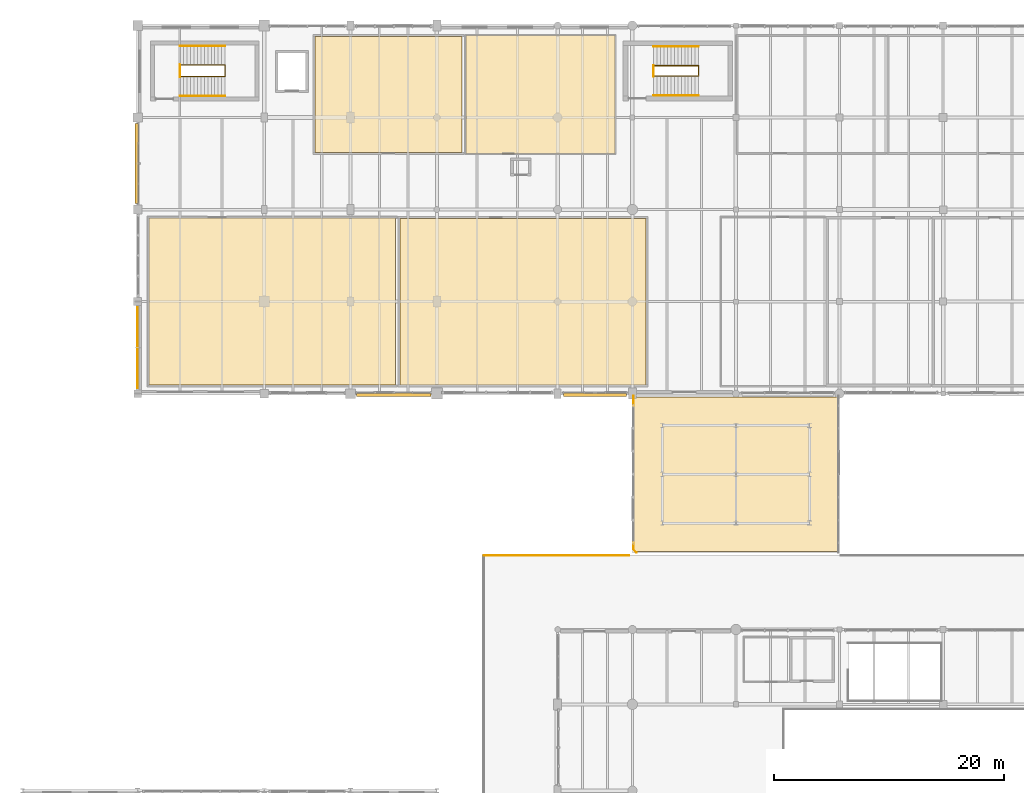
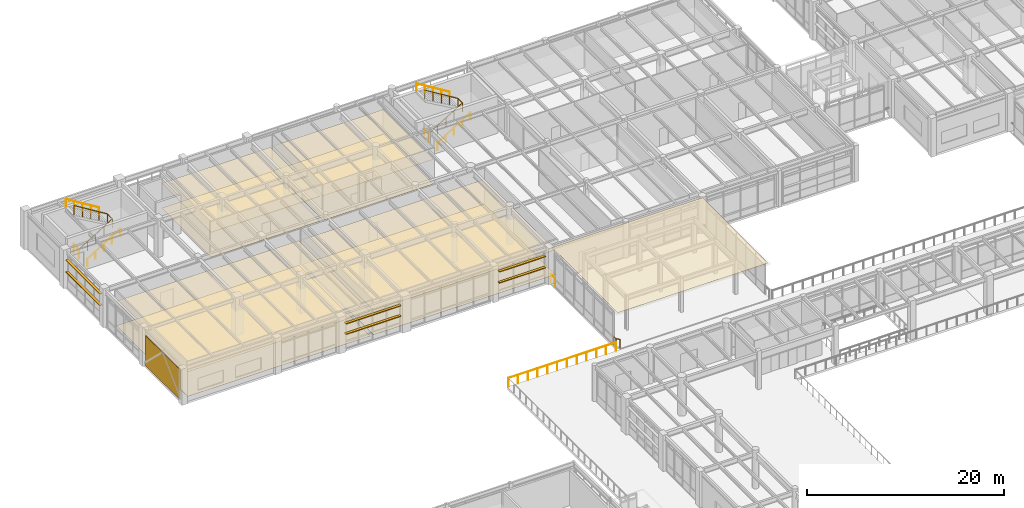
# One storey, part 195 of 200: 11 railings, 10 coverings, 6 shading devices.
"""IFC4 building model written with IfcOpenShell, lengths in metres."""

from ifc_helpers import new_model, si_unit, direction, frame, origin, origin_2d, place, context, subcontext, project, spatial, polyline, rectangle, circle, outline, extrude, material, layer, layer_set, type_object, element, save


model = new_model("IFC4")

# Units and contexts
model_context = context("Model", 3, precision=1e-05, world=origin(), true_north=direction((0.0, 1.0)))
body_context = subcontext(model_context, "Body", "Model", "MODEL_VIEW")
ifc_project = project(units=[si_unit("LENGTHUNIT", "METRE"), si_unit("AREAUNIT", "SQUARE_METRE"), si_unit("VOLUMEUNIT", "CUBIC_METRE"), si_unit("PLANEANGLEUNIT", "RADIAN"), si_unit("MASSUNIT", "GRAM", prefix="KILO"), si_unit("THERMODYNAMICTEMPERATUREUNIT", "KELVIN"), si_unit("POWERUNIT", "WATT")], contexts=[model_context])

# Site, building, storey
site_placement = place(None, origin())
site = spatial("IfcSite", under=ifc_project, at=site_placement, CompositionType="ELEMENT")
building_placement = place(site_placement, origin())
building = spatial("IfcBuilding", under=site, at=building_placement, Name="Tepalcoro Natatorium and Aquatics Centre", CompositionType="ELEMENT")
storey_placement = place(building_placement, frame((0.0, 0.0, 5.39990234375)))
storey = spatial("IfcBuildingStorey", under=building, at=storey_placement, Name="L01", CompositionType="ELEMENT", Elevation=5.39990234375)

# Coverings
ifc_material_1 = material(Name="Jalisco Cantera Rosa Volcanic Tuff Ashlar Masonry", Category="masonry")
ifc_layer_1 = layer(ifc_material_1, 0.06005859375)
ifc_layer_set_1 = layer_set([ifc_layer_1], Name="Jalisco Cantera Rosa Volcanic Tuff Ashlar Masonry")
covering_type_1 = type_object("IfcCoveringType", Name="CD_CANTERA_60", PredefinedType="CLADDING", material=ifc_layer_set_1)
covering_1_placement = place(storey_placement, frame((9.97509765625, 89.987548828125, 0.10009765625), z_axis=(0.0, 0.0, 1.0), x_axis=(1.0, 0.0, 0.0)))
element("IfcCovering", 1, at=covering_1_placement, inside=storey, type_object=covering_type_1, Name="Volcanic Stone Facade Cladding CD_CANTERA_60", PredefinedType="CLADDING", context=body_context, shape_type="SweptSolid", body=[
    extrude(rectangle(XDim=0.06005859375, YDim=7.01708984375, at=origin_2d()), origin(), (0.0, 0.0, 1.0), 3.73388671875),
])
ifc_material_2 = material(Name="Perforated Corrosion-Resistant Acoustic Aluminium Baffle Ceiling", Category="aluminium")
ifc_layer_2 = layer(ifc_material_2, 0.044921875)
ifc_layer_set_2 = layer_set([ifc_layer_2], Name="Perforated Corrosion-Resistant Acoustic Aluminium Baffle Ceiling")
covering_type_2 = type_object("IfcCoveringType", Name="CL_BAFFLE_120", PredefinedType="CEILING", material=ifc_layer_set_2)
covering_2_placement = place(storey_placement, frame((0.0, 0.0, 3.050048828125)))
element("IfcCovering", 2, at=covering_2_placement, inside=storey, type_object=covering_type_2, Name="Sports Physiotherapy & Manual Therapy Clinic Suspended Ceiling", PredefinedType="CEILING", context=body_context, shape_type="SweptSolid", body=[
    extrude(outline(polyline([(25.409912109375, 106.969970703125), (25.409912109375, 117.030029296875), (38.18994140625, 117.030029296875), (38.18994140625, 106.969970703125), (25.409912109375, 106.969970703125)])), origin(), (0.0, 0.0, 1.0), 0.045166015625),
])
ifc_material_3 = material(Name="Moisture-Resistant Acoustic Gypsum Drywall on Cold-Formed Metal Studs")
ifc_layer_3 = layer(ifc_material_3, 0.030029296875)
ifc_layer_set_3 = layer_set([ifc_layer_3], Name="Moisture-Resistant Acoustic Gypsum Drywall on Cold-Formed Metal Studs")
covering_type_3 = type_object("IfcCoveringType", Name="CL_GYPSUM_30", PredefinedType="CEILING", material=ifc_layer_set_3)
covering_3_placement = place(storey_placement, frame((0.0, 0.0, 3.050048828125)))
element("IfcCovering", 3, at=covering_3_placement, inside=storey, type_object=covering_type_3, Name="Olympic Strength & Conditioning Free-Weight Hall Suspended Ceiling", PredefinedType="CEILING", context=body_context, shape_type="SweptSolid", body=[
    extrude(outline(polyline([(10.97998046875, 86.739990234375), (10.97998046875, 101.260009765625), (32.419921875, 101.260009765625), (32.419921875, 86.739990234375), (10.97998046875, 86.739990234375)])), origin(), (0.0, 0.0, 1.0), 0.030029296875),
])
covering_4_placement = place(storey_placement, frame((0.0, 0.0, 3.050048828125)))
element("IfcCovering", 4, at=covering_4_placement, inside=storey, type_object=covering_type_3, Name="Athlete Nutrition Bar & Recovery Lounge Suspended Ceiling", PredefinedType="CEILING", context=body_context, shape_type="SweptSolid", body=[
    extrude(outline(polyline([(38.530029296875, 106.889892578125), (38.530029296875, 117.110107421875), (51.469970703125, 117.110107421875), (51.469970703125, 106.889892578125), (38.530029296875, 106.889892578125)])), origin(), (0.0, 0.0, 1.0), 0.030029296875),
])
ifc_layer_4 = layer(ifc_material_2, 0.0400390625)
ifc_layer_set_4 = layer_set([ifc_layer_4], Name="Perforated Corrosion-Resistant Acoustic Aluminium Baffle Ceiling")
covering_type_4 = type_object("IfcCoveringType", Name="CL_PERF_AL_40", PredefinedType="CEILING", material=ifc_layer_set_4)
covering_5_placement = place(storey_placement, frame((0.0, 0.0, 3.050048828125)))
element("IfcCovering", 5, at=covering_5_placement, inside=storey, type_object=covering_type_4, Name="Rowing & Swim-Bench Ergometer Cardio Studio Suspended Ceiling", PredefinedType="CEILING", context=body_context, shape_type="SweptSolid", body=[
    extrude(outline(polyline([(32.81005859375, 86.77001953125), (32.81005859375, 101.22998046875), (54.18994140625, 101.22998046875), (54.18994140625, 86.77001953125), (32.81005859375, 86.77001953125)])), origin(), (0.0, 0.0, 1.0), 0.0400390625),
])
ifc_material_4 = material(Name="Shock-Absorbing Vulcanised Athletic Rubber Flooring")
ifc_layer_5 = layer(ifc_material_4, 0.010009765625)
ifc_layer_set_5 = layer_set([ifc_layer_5], Name="Shock-Absorbing Vulcanised Athletic Rubber Flooring")
covering_type_5 = type_object("IfcCoveringType", Name="FL_CARPET_10", PredefinedType="FLOORING", material=ifc_layer_set_5)
covering_6_placement = place(storey_placement, origin())
element("IfcCovering", 6, at=covering_6_placement, inside=storey, type_object=covering_type_5, Name="Sports Physiotherapy & Manual Therapy Clinic Floor Finish", PredefinedType="FLOORING", context=body_context, shape_type="SweptSolid", body=[
    extrude(outline(polyline([(25.409912109375, 106.969970703125), (25.409912109375, 117.030029296875), (38.18994140625, 117.030029296875), (38.18994140625, 106.969970703125), (25.409912109375, 106.969970703125)])), origin(), (0.0, 0.0, 1.0), 0.010009765625),
])
ifc_material_5 = material(Name="Slip-Resistant Porcelain Aquatic Deck Tile")
ifc_layer_6 = layer(ifc_material_5, 0.02197265625)
ifc_layer_set_6 = layer_set([ifc_layer_6], Name="Slip-Resistant Porcelain Aquatic Deck Tile")
covering_type_6 = type_object("IfcCoveringType", Name="FL_DECK_TILE_22", PredefinedType="FLOORING", material=ifc_layer_set_6)
covering_7_placement = place(storey_placement, origin())
element("IfcCovering", 7, at=covering_7_placement, inside=storey, type_object=covering_type_6, Name="Rowing & Swim-Bench Ergometer Cardio Studio Floor Finish", PredefinedType="FLOORING", context=body_context, shape_type="SweptSolid", body=[
    extrude(outline(polyline([(32.81005859375, 86.77001953125), (32.81005859375, 101.22998046875), (54.18994140625, 101.22998046875), (54.18994140625, 86.77001953125), (32.81005859375, 86.77001953125)])), origin(), (0.0, 0.0, 1.0), 0.022216796875),
])
ifc_layer_7 = layer(ifc_material_4, 0.011962890625)
ifc_layer_set_7 = layer_set([ifc_layer_7], Name="Shock-Absorbing Vulcanised Athletic Rubber Flooring")
covering_type_7 = type_object("IfcCoveringType", Name="FL_RUBBER_12", PredefinedType="FLOORING", material=ifc_layer_set_7)
covering_8_placement = place(storey_placement, origin())
element("IfcCovering", 8, at=covering_8_placement, inside=storey, type_object=covering_type_7, Name="Athlete Nutrition Bar & Recovery Lounge Floor Finish", PredefinedType="FLOORING", context=body_context, shape_type="SweptSolid", body=[
    extrude(outline(polyline([(38.530029296875, 106.889892578125), (38.530029296875, 117.110107421875), (51.469970703125, 117.110107421875), (51.469970703125, 106.889892578125), (38.530029296875, 106.889892578125)])), origin(), (0.0, 0.0, 1.0), 0.01220703125),
])
ifc_layer_8 = layer(ifc_material_5, 0.01806640625)
ifc_layer_set_8 = layer_set([ifc_layer_8], Name="Slip-Resistant Porcelain Aquatic Deck Tile")
covering_type_8 = type_object("IfcCoveringType", Name="FL_TILE_18", PredefinedType="FLOORING", material=ifc_layer_set_8)
covering_9_placement = place(storey_placement, origin())
element("IfcCovering", 9, at=covering_9_placement, inside=storey, type_object=covering_type_8, Name="Olympic Strength & Conditioning Free-Weight Hall Floor Finish", PredefinedType="FLOORING", context=body_context, shape_type="SweptSolid", body=[
    extrude(outline(polyline([(10.97998046875, 86.739990234375), (10.97998046875, 101.260009765625), (32.419921875, 101.260009765625), (32.419921875, 86.739990234375), (10.97998046875, 86.739990234375)])), origin(), (0.0, 0.0, 1.0), 0.01806640625),
])
ifc_material_6 = material(Name="Insulated Thermoplastic Polyolefin Standing-Seam Roof Assembly")
ifc_layer_9 = layer(ifc_material_6, 0.0029296875)
ifc_layer_set_9 = layer_set([ifc_layer_9], Name="Insulated Thermoplastic Polyolefin Standing-Seam Roof Assembly")
covering_type_9 = type_object("IfcCoveringType", Name="MEM_TPO_3", PredefinedType="MEMBRANE", material=ifc_layer_set_9)
covering_10_placement = place(storey_placement, frame((0.0, 0.0, 4.400146484375)))
element("IfcCovering", 10, at=covering_10_placement, inside=storey, type_object=covering_type_9, Name="West Court Swimmers Arcade Roof Waterproofing Membrane", PredefinedType="MEMBRANE", context=body_context, shape_type="SweptSolid", body=[
    extrude(outline(polyline([(53.14990234375, 72.300048828125), (70.85009765625, 72.300048828125), (70.85009765625, 85.699951171875), (53.14990234375, 85.699951171875), (53.14990234375, 72.300048828125)])), origin(), (0.0, 0.0, 1.0), 0.0029296875),
])

# Railings
ifc_material_7 = material(Name="Marine-Grade Brushed Stainless Steel AISI 316L", Category="steel")
railing_type_1 = type_object("IfcRailingType", Name="RL_GLASS_1100", PredefinedType="GUARDRAIL", material=ifc_material_7)
railing_1_placement = place(storey_placement, frame((53.35009765625, 72.2099609375, 0.0)))
element("IfcRailing", 11, at=railing_1_placement, inside=storey, type_object=railing_type_1, Name="West Court Swimmers Arcade L01 Seismic Joint Edge Guard WS", PredefinedType="GUARDRAIL", context=body_context, shape_type="SweptSolid", body=[
    extrude(circle(Radius=0.02392578125, at=origin_2d()), frame((0.0, 0.0, 1.09619140625), z_axis=(-0.668931315457, 0.743324219436, 0.0), x_axis=(-0.743324219436, -0.668931315457, 0.0)), (0.0, 0.0, 1.0), 0.403564453125),
    extrude(circle(Radius=0.02392578125, at=origin_2d()), frame((-0.27001953125, 0.300048828125, 1.09619140625), z_axis=(0.0, 1.0, 0.0), x_axis=(-1.0, 0.0, 0.0)), (0.0, 0.0, 1.0), 0.5400390625),
    extrude(circle(Radius=0.02099609375, at=origin_2d()), origin(), (0.0, 0.0, 1.0), 1.072021484375),
    extrude(circle(Radius=0.02099609375, at=origin_2d()), frame((-0.27001953125, 0.300048828125, 0.0)), (0.0, 0.0, 1.0), 1.072021484375),
    extrude(circle(Radius=0.02099609375, at=origin_2d()), frame((-0.27001953125, 0.840087890625, 0.0)), (0.0, 0.0, 1.0), 1.072021484375),
])
railing_2_placement = place(storey_placement, frame((53.080078125, 84.949951171875, 0.0)))
element("IfcRailing", 12, at=railing_2_placement, inside=storey, type_object=railing_type_1, Name="West Court Swimmers Arcade L01 Seismic Joint Edge Guard WN", PredefinedType="GUARDRAIL", context=body_context, shape_type="SweptSolid", body=[
    extrude(circle(Radius=0.02392578125, at=origin_2d()), frame((0.0, 0.0, 1.09619140625), z_axis=(0.0, 1.0, 0.0), x_axis=(-1.0, 0.0, 0.0)), (0.0, 0.0, 1.0), 0.860107421875),
    extrude(circle(Radius=0.02099609375, at=origin_2d()), origin(), (0.0, 0.0, 1.0), 1.072021484375),
    extrude(circle(Radius=0.02099609375, at=origin_2d()), frame((0.0, 0.860107421875, 0.0)), (0.0, 0.0, 1.0), 1.072021484375),
])
ifc_material_8 = material(Name="Bronze-Anodised Extruded Aluminium Alloy EN AW-6063 T6", Category="aluminium")
railing_type_2 = type_object("IfcRailingType", Name="RL_HAND_900_BRZ", PredefinedType="HANDRAIL", material=ifc_material_8)
railing_3_placement = place(storey_placement, frame((54.85009765625, 111.929931640625, 0.0)))
element("IfcRailing", 13, at=railing_3_placement, inside=storey, type_object=railing_type_2, Name="ST08-L01 Wall Handrail F1", PredefinedType="HANDRAIL", context=body_context, shape_type="SweptSolid", body=[
    extrude(circle(Radius=0.02392578125, at=origin_2d()), frame((0.0, 0.0, 0.8759765625), z_axis=(0.851638180308, 0.0, 0.5241301459), x_axis=(0.0, 1.0, 0.0)), (0.0, 0.0, 1.0), 4.579345703125),
    extrude(circle(Radius=0.02099609375, at=origin_2d()), origin(), (0.0, 0.0, 1.0), 0.851806640625),
    extrude(circle(Radius=0.02099609375, at=origin_2d()), frame((0.97509765625, 0.0, 0.60009765625)), (0.0, 0.0, 1.0), 0.851806640625),
    extrude(circle(Radius=0.02099609375, at=origin_2d()), frame((1.949951171875, 0.0, 1.2001953125)), (0.0, 0.0, 1.0), 0.851806640625),
    extrude(circle(Radius=0.02099609375, at=origin_2d()), frame((2.9248046875, 0.0, 1.800048828125)), (0.0, 0.0, 1.0), 0.851806640625),
    extrude(circle(Radius=0.02099609375, at=origin_2d()), frame((3.89990234375, 0.0, 2.400146484375)), (0.0, 0.0, 1.0), 0.851806640625),
])
railing_4_placement = place(storey_placement, frame((58.75, 116.169921875, 2.400146484375)))
element("IfcRailing", 14, at=railing_4_placement, inside=storey, type_object=railing_type_2, Name="ST08-L01 Wall Handrail F2", PredefinedType="HANDRAIL", context=body_context, shape_type="SweptSolid", body=[
    extrude(circle(Radius=0.02392578125, at=origin_2d()), frame((0.0, 0.0, 0.8759765625), z_axis=(-0.851661977835, 0.0, 0.524091476281), x_axis=(0.0, -1.0, 0.0)), (0.0, 0.0, 1.0), 4.5791015625),
    extrude(circle(Radius=0.02099609375, at=origin_2d()), origin(), (0.0, 0.0, 1.0), 0.851806640625),
    extrude(circle(Radius=0.02099609375, at=origin_2d()), frame((-0.97509765625, 0.0, 0.60009765625)), (0.0, 0.0, 1.0), 0.851806640625),
    extrude(circle(Radius=0.02099609375, at=origin_2d()), frame((-1.949951171875, 0.0, 1.199951171875)), (0.0, 0.0, 1.0), 0.851806640625),
    extrude(circle(Radius=0.02099609375, at=origin_2d()), frame((-2.9248046875, 0.0, 1.7998046875)), (0.0, 0.0, 1.0), 0.851806640625),
    extrude(circle(Radius=0.02099609375, at=origin_2d()), frame((-3.89990234375, 0.0, 2.39990234375)), (0.0, 0.0, 1.0), 0.851806640625),
])
railing_type_3 = type_object("IfcRailingType", Name="RL_HAND_920_SS", PredefinedType="HANDRAIL", material=ifc_material_7)
railing_5_placement = place(storey_placement, frame((13.699951171875, 111.8798828125, 0.0)))
element("IfcRailing", 15, at=railing_5_placement, inside=storey, type_object=railing_type_3, Name="ST07-L01 Wall Handrail F1", PredefinedType="HANDRAIL", context=body_context, shape_type="SweptSolid", body=[
    extrude(circle(Radius=0.02392578125, at=origin_2d()), frame((0.0, 0.0, 0.89599609375), z_axis=(0.851652825334, 0.0, 0.524106349037), x_axis=(0.0, 1.0, 0.0)), (0.0, 0.0, 1.0), 4.57958984375),
    extrude(circle(Radius=0.02099609375, at=origin_2d()), origin(), (0.0, 0.0, 1.0), 0.871826171875),
    extrude(circle(Radius=0.02099609375, at=origin_2d()), frame((0.97509765625, 0.0, 0.60009765625)), (0.0, 0.0, 1.0), 0.871826171875),
    extrude(circle(Radius=0.02099609375, at=origin_2d()), frame((1.9501953125, 0.0, 1.2001953125)), (0.0, 0.0, 1.0), 0.871826171875),
    extrude(circle(Radius=0.02099609375, at=origin_2d()), frame((2.925048828125, 0.0, 1.800048828125)), (0.0, 0.0, 1.0), 0.871826171875),
    extrude(circle(Radius=0.02099609375, at=origin_2d()), frame((3.900146484375, 0.0, 2.400146484375)), (0.0, 0.0, 1.0), 0.871826171875),
])
railing_6_placement = place(storey_placement, frame((17.60009765625, 116.219970703125, 2.400146484375)))
element("IfcRailing", 16, at=railing_6_placement, inside=storey, type_object=railing_type_3, Name="ST07-L01 Wall Handrail F2", PredefinedType="HANDRAIL", context=body_context, shape_type="SweptSolid", body=[
    extrude(circle(Radius=0.02392578125, at=origin_2d()), frame((0.0, 0.0, 0.89599609375), z_axis=(-0.851676621109, 0.0, 0.524067679844), x_axis=(0.0, -1.0, 0.0)), (0.0, 0.0, 1.0), 4.579345703125),
    extrude(circle(Radius=0.02099609375, at=origin_2d()), origin(), (0.0, 0.0, 1.0), 0.871826171875),
    extrude(circle(Radius=0.02099609375, at=origin_2d()), frame((-0.97509765625, 0.0, 0.60009765625)), (0.0, 0.0, 1.0), 0.871826171875),
    extrude(circle(Radius=0.02099609375, at=origin_2d()), frame((-1.9501953125, 0.0, 1.199951171875)), (0.0, 0.0, 1.0), 0.871826171875),
    extrude(circle(Radius=0.02099609375, at=origin_2d()), frame((-2.925048828125, 0.0, 1.7998046875)), (0.0, 0.0, 1.0), 0.871826171875),
    extrude(circle(Radius=0.02099609375, at=origin_2d()), frame((-3.900146484375, 0.0, 2.39990234375)), (0.0, 0.0, 1.0), 0.871826171875),
])
railing_type_4 = type_object("IfcRailingType", Name="RL_PERF_1100", PredefinedType="GUARDRAIL", material=ifc_material_7)
railing_7_placement = place(storey_placement, frame((13.699951171875, 113.550048828125, 0.0)))
element("IfcRailing", 17, at=railing_7_placement, inside=storey, type_object=railing_type_4, Name="ST07-L01 Inner Stairwell Guardrail", PredefinedType="GUARDRAIL", context=body_context, shape_type="SweptSolid", body=[
    extrude(circle(Radius=0.02392578125, at=origin_2d()), frame((0.0, 0.0, 1.11572265625), z_axis=(0.851652825334, 0.0, 0.524106349037), x_axis=(0.0, 1.0, 0.0)), (0.0, 0.0, 1.0), 4.57958984375),
    extrude(circle(Radius=0.02392578125, at=origin_2d()), frame((3.900146484375, 0.0, 3.51611328125), z_axis=(0.0, 1.0, 0.0), x_axis=(-1.0, 0.0, 0.0)), (0.0, 0.0, 1.0), 1.0),
    extrude(circle(Radius=0.02392578125, at=origin_2d()), frame((3.900146484375, 1.0, 3.51611328125), z_axis=(-0.851676621109, 0.0, 0.524067679844), x_axis=(0.0, -1.0, 0.0)), (0.0, 0.0, 1.0), 4.579345703125),
    extrude(circle(Radius=0.02099609375, at=origin_2d()), origin(), (0.0, 0.0, 1.0), 1.091796875),
    extrude(circle(Radius=0.02099609375, at=origin_2d()), frame((0.97509765625, 0.0, 0.60009765625)), (0.0, 0.0, 1.0), 1.091796875),
    extrude(circle(Radius=0.02099609375, at=origin_2d()), frame((1.9501953125, 0.0, 1.2001953125)), (0.0, 0.0, 1.0), 1.091796875),
    extrude(circle(Radius=0.02099609375, at=origin_2d()), frame((2.925048828125, 0.0, 1.800048828125)), (0.0, 0.0, 1.0), 1.091796875),
    extrude(circle(Radius=0.02099609375, at=origin_2d()), frame((3.900146484375, 0.0, 2.400146484375)), (0.0, 0.0, 1.0), 1.091796875),
    extrude(circle(Radius=0.02099609375, at=origin_2d()), frame((3.900146484375, 1.0, 2.400146484375)), (0.0, 0.0, 1.0), 1.091796875),
    extrude(circle(Radius=0.02099609375, at=origin_2d()), frame((2.925048828125, 1.0, 3.0)), (0.0, 0.0, 1.0), 1.091796875),
    extrude(circle(Radius=0.02099609375, at=origin_2d()), frame((1.9501953125, 1.0, 3.60009765625)), (0.0, 0.0, 1.0), 1.091796875),
    extrude(circle(Radius=0.02099609375, at=origin_2d()), frame((0.97509765625, 1.0, 4.2001953125)), (0.0, 0.0, 1.0), 1.091796875),
    extrude(circle(Radius=0.02099609375, at=origin_2d()), frame((0.0, 1.0, 4.800048828125)), (0.0, 0.0, 1.0), 1.091796875),
])
railing_8_placement = place(storey_placement, frame((13.669921875, 113.510009765625, 0.0)))
element("IfcRailing", 18, at=railing_8_placement, inside=storey, type_object=railing_type_4, Name="ST07-L01 Landing Well Slot Guard", PredefinedType="GUARDRAIL", context=body_context, shape_type="SweptSolid", body=[
    extrude(circle(Radius=0.02392578125, at=origin_2d()), frame((0.0, 0.0, 1.11572265625), z_axis=(0.0, 1.0, 0.0), x_axis=(-1.0, 0.0, 0.0)), (0.0, 0.0, 1.0), 1.080078125),
    extrude(circle(Radius=0.02099609375, at=origin_2d()), origin(), (0.0, 0.0, 1.0), 1.091796875),
    extrude(circle(Radius=0.02099609375, at=origin_2d()), frame((0.0, 1.080078125, 0.0)), (0.0, 0.0, 1.0), 1.091796875),
])
railing_9_placement = place(storey_placement, frame((52.719970703125, 71.919921875, 0.0)))
element("IfcRailing", 19, at=railing_9_placement, inside=storey, type_object=railing_type_4, Name="V1 L01 Planted Terrace Perimeter Guardrail (N-3)", PredefinedType="GUARDRAIL", context=body_context, shape_type="SweptSolid", body=[
    extrude(circle(Radius=0.02392578125, at=origin_2d()), frame((0.0, 0.0, 1.11572265625), z_axis=(-1.0, 0.0, 0.0), x_axis=(0.0, -1.0, 0.0)), (0.0, 0.0, 1.0), 12.639892578125),
    extrude(circle(Radius=0.02099609375, at=origin_2d()), origin(), (0.0, 0.0, 1.0), 1.091796875),
    extrude(circle(Radius=0.02099609375, at=origin_2d()), frame((-1.149169921875, 0.0, 0.0)), (0.0, 0.0, 1.0), 1.091796875),
    extrude(circle(Radius=0.02099609375, at=origin_2d()), frame((-2.298095703125, 0.0, 0.0)), (0.0, 0.0, 1.0), 1.091796875),
    extrude(circle(Radius=0.02099609375, at=origin_2d()), frame((-3.447265625, 0.0, 0.0)), (0.0, 0.0, 1.0), 1.091796875),
    extrude(circle(Radius=0.02099609375, at=origin_2d()), frame((-4.596435546875, 0.0, 0.0)), (0.0, 0.0, 1.0), 1.091796875),
    extrude(circle(Radius=0.02099609375, at=origin_2d()), frame((-5.745361328125, 0.0, 0.0)), (0.0, 0.0, 1.0), 1.091796875),
    extrude(circle(Radius=0.02099609375, at=origin_2d()), frame((-6.89453125, 0.0, 0.0)), (0.0, 0.0, 1.0), 1.091796875),
    extrude(circle(Radius=0.02099609375, at=origin_2d()), frame((-8.04345703125, 0.0, 0.0)), (0.0, 0.0, 1.0), 1.091796875),
    extrude(circle(Radius=0.02099609375, at=origin_2d()), frame((-9.192626953125, 0.0, 0.0)), (0.0, 0.0, 1.0), 1.091796875),
    extrude(circle(Radius=0.02099609375, at=origin_2d()), frame((-10.341796875, 0.0, 0.0)), (0.0, 0.0, 1.0), 1.091796875),
    extrude(circle(Radius=0.02099609375, at=origin_2d()), frame((-11.49072265625, 0.0, 0.0)), (0.0, 0.0, 1.0), 1.091796875),
    extrude(circle(Radius=0.02099609375, at=origin_2d()), frame((-12.639892578125, 0.0, 0.0)), (0.0, 0.0, 1.0), 1.091796875),
])
railing_type_5 = type_object("IfcRailingType", Name="RL_SS_1100", PredefinedType="GUARDRAIL", material=ifc_material_7)
railing_10_placement = place(storey_placement, frame((54.85009765625, 113.60009765625, 0.0)))
element("IfcRailing", 20, at=railing_10_placement, inside=storey, type_object=railing_type_5, Name="ST08-L01 Inner Stairwell Guardrail", PredefinedType="GUARDRAIL", context=body_context, shape_type="SweptSolid", body=[
    extrude(circle(Radius=0.02392578125, at=origin_2d()), frame((0.0, 0.0, 1.076171875), z_axis=(0.851638180308, 0.0, 0.5241301459), x_axis=(0.0, 1.0, 0.0)), (0.0, 0.0, 1.0), 4.579345703125),
    extrude(circle(Radius=0.02392578125, at=origin_2d()), frame((3.89990234375, 0.0, 3.47607421875), z_axis=(0.0, 1.0, 0.0), x_axis=(-1.0, 0.0, 0.0)), (0.0, 0.0, 1.0), 0.89990234375),
    extrude(circle(Radius=0.02392578125, at=origin_2d()), frame((3.89990234375, 0.89990234375, 3.47607421875), z_axis=(-0.851661977835, 0.0, 0.524091476281), x_axis=(0.0, -1.0, 0.0)), (0.0, 0.0, 1.0), 4.5791015625),
    extrude(circle(Radius=0.02099609375, at=origin_2d()), origin(), (0.0, 0.0, 1.0), 1.052001953125),
    extrude(circle(Radius=0.02099609375, at=origin_2d()), frame((0.97509765625, 0.0, 0.60009765625)), (0.0, 0.0, 1.0), 1.052001953125),
    extrude(circle(Radius=0.02099609375, at=origin_2d()), frame((1.949951171875, 0.0, 1.2001953125)), (0.0, 0.0, 1.0), 1.052001953125),
    extrude(circle(Radius=0.02099609375, at=origin_2d()), frame((2.9248046875, 0.0, 1.800048828125)), (0.0, 0.0, 1.0), 1.052001953125),
    extrude(circle(Radius=0.02099609375, at=origin_2d()), frame((3.89990234375, 0.0, 2.400146484375)), (0.0, 0.0, 1.0), 1.052001953125),
    extrude(circle(Radius=0.02099609375, at=origin_2d()), frame((3.89990234375, 0.89990234375, 2.400146484375)), (0.0, 0.0, 1.0), 1.052001953125),
    extrude(circle(Radius=0.02099609375, at=origin_2d()), frame((2.9248046875, 0.89990234375, 3.0)), (0.0, 0.0, 1.0), 1.052001953125),
    extrude(circle(Radius=0.02099609375, at=origin_2d()), frame((1.949951171875, 0.89990234375, 3.60009765625)), (0.0, 0.0, 1.0), 1.052001953125),
    extrude(circle(Radius=0.02099609375, at=origin_2d()), frame((0.97509765625, 0.89990234375, 4.2001953125)), (0.0, 0.0, 1.0), 1.052001953125),
    extrude(circle(Radius=0.02099609375, at=origin_2d()), frame((0.0, 0.89990234375, 4.800048828125)), (0.0, 0.0, 1.0), 1.052001953125),
])
railing_11_placement = place(storey_placement, frame((54.820068359375, 113.56005859375, 0.0)))
element("IfcRailing", 21, at=railing_11_placement, inside=storey, type_object=railing_type_5, Name="ST08-L01 Landing Well Slot Guard", PredefinedType="GUARDRAIL", context=body_context, shape_type="SweptSolid", body=[
    extrude(circle(Radius=0.02392578125, at=origin_2d()), frame((0.0, 0.0, 1.076171875), z_axis=(0.0, 1.0, 0.0), x_axis=(-1.0, 0.0, 0.0)), (0.0, 0.0, 1.0), 0.97998046875),
    extrude(circle(Radius=0.02099609375, at=origin_2d()), origin(), (0.0, 0.0, 1.0), 1.052001953125),
    extrude(circle(Radius=0.02099609375, at=origin_2d()), frame((0.0, 0.97998046875, 0.0)), (0.0, 0.0, 1.0), 1.052001953125),
])

# Shading devices
shading_device_type = type_object("IfcShadingDeviceType", Name="SHD_FIN_BRONZE", PredefinedType="SHUTTER", material=ifc_material_8)
for number, where, z_axis, x_axis, name in (
    (22, (32.25, 85.90625, 1.97119140625), (0.0, 0.0, 1.0), (1.0, 0.0, 0.0), "Solar Shading Brise-Soleil SHD_FIN_BRONZE"),
    (23, (32.25, 85.90625, 3.26806640625), (0.0, 0.0, 1.0), (1.0, 0.0, 0.0), "Solar Shading Brise-Soleil SHD_FIN_BRONZE"),
):
    element("IfcShadingDevice", number, at=place(storey_placement, frame(where, z_axis=z_axis, x_axis=x_axis)), inside=storey, type_object=shading_device_type, Name=name, PredefinedType="SHUTTER", context=body_context, shape_type="SweptSolid", body=[
        extrude(rectangle(XDim=6.4599609375, YDim=0.300048828125, at=origin_2d()), origin(), (0.0, 0.0, 1.0), 0.080078125),
    ])
for number, where, z_axis, x_axis, name in (
    (24, (49.75, 85.90625, 2.03955078125), (0.0, 0.0, 1.0), (1.0, 0.0, 0.0), "Solar Shading Brise-Soleil SHD_FIN_BRONZE"),
    (25, (49.75, 85.90625, 3.420166015625), (0.0, 0.0, 1.0), (1.0, 0.0, 0.0), "Solar Shading Brise-Soleil SHD_FIN_BRONZE"),
):
    element("IfcShadingDevice", number, at=place(storey_placement, frame(where, z_axis=z_axis, x_axis=x_axis)), inside=storey, type_object=shading_device_type, Name=name, PredefinedType="SHUTTER", context=body_context, shape_type="SweptSolid", body=[
        extrude(rectangle(XDim=5.4599609375, YDim=0.300048828125, at=origin_2d()), origin(), (0.0, 0.0, 1.0), 0.080078125),
    ])
for number, where, z_axis, x_axis, name in (
    (26, (9.9150390625, 106.0, 2.0966796875), (0.0, 0.0, 1.0), (1.0, 0.0, 0.0), "Solar Shading Brise-Soleil SHD_FIN_BRONZE"),
    (27, (9.9150390625, 106.0, 3.547119140625), (0.0, 0.0, 1.0), (1.0, 0.0, 0.0), "Solar Shading Brise-Soleil SHD_FIN_BRONZE"),
):
    element("IfcShadingDevice", number, at=place(storey_placement, frame(where, z_axis=z_axis, x_axis=x_axis)), inside=storey, type_object=shading_device_type, Name=name, PredefinedType="SHUTTER", context=body_context, shape_type="SweptSolid", body=[
        extrude(rectangle(XDim=0.300048828125, YDim=6.9599609375, at=origin_2d()), origin(), (0.0, 0.0, 1.0), 0.080078125),
    ])

save(model, "model.ifc")
